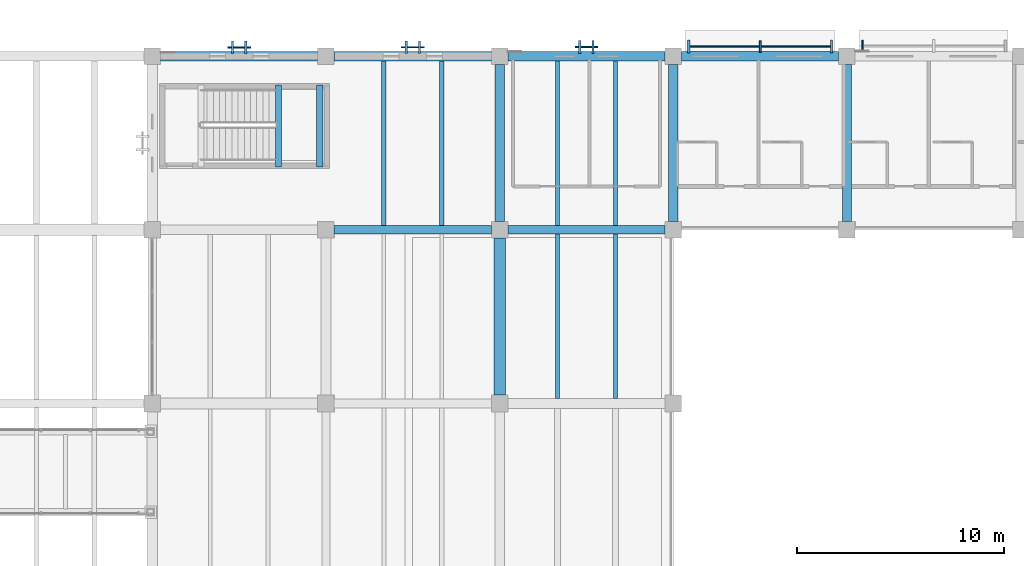
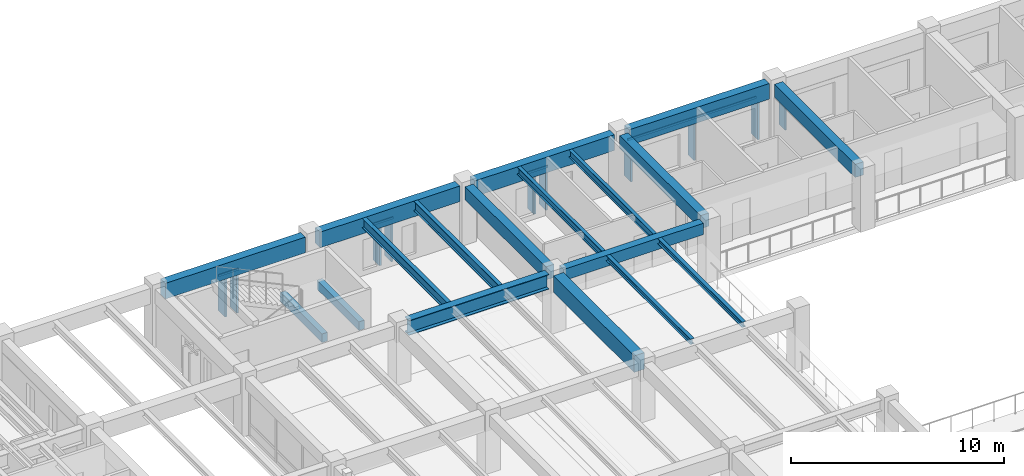
# One storey, part 39 of 118: 18 beams, 14 members, 5 elements without a shape of their own.
"""IFC4 building model written with IfcOpenShell, lengths in metres."""

from ifc_helpers import new_model, si_unit, direction, frame, origin, origin_2d, place, context, subcontext, project, spatial, rectangle, i_section, extrude, material, material_profile, profile_set, type_object, element, aggregate, save


model = new_model("IFC4")

# Units and contexts
model_context = context("Model", 3, precision=1e-05, world=origin(), true_north=direction((0.0, 1.0)))
body_context = subcontext(model_context, "Body", "Model", "MODEL_VIEW")
ifc_project = project(units=[si_unit("LENGTHUNIT", "METRE"), si_unit("AREAUNIT", "SQUARE_METRE"), si_unit("VOLUMEUNIT", "CUBIC_METRE"), si_unit("PLANEANGLEUNIT", "RADIAN"), si_unit("MASSUNIT", "GRAM", prefix="KILO")], contexts=[model_context])

# Site, building, storey
site_placement = place(None, origin())
site = spatial("IfcSite", under=ifc_project, at=site_placement, CompositionType="ELEMENT")
building_placement = place(site_placement, origin())
building = spatial("IfcBuilding", under=site, at=building_placement, Name="Cumbredor Promenade Congress Hotel", CompositionType="ELEMENT")
storey_placement = place(building_placement, frame((0.0, 0.0, 3.919921875)))
storey = spatial("IfcBuildingStorey", under=building, at=storey_placement, Name="L01", CompositionType="ELEMENT", Elevation=3.919921875)

# Beams
ifc_material_1 = material(Name="Concrete C40/50", Category="concrete")
ifc_material_profile_1 = material_profile(ifc_material_1, rectangle(XDim=0.39990234375, YDim=0.64990234375, at=origin_2d()), Name="RC BEAM 400x650")
ifc_profile_set_1 = profile_set([ifc_material_profile_1], Name="Concrete C40/50")
beam_type_1 = type_object("IfcBeamType", Name="BM-RC-400x650", PredefinedType="BEAM", material=ifc_profile_set_1)
beam_1_placement = place(storey_placement, frame((109.60009765625, 109.199951171875, 3.03515625), z_axis=(1.0, 0.0, 0.0), x_axis=(0.0, 1.0, 0.0)))
element("IfcBeam", 1, at=beam_1_placement, inside=storey, type_object=beam_type_1, Name="L02 X-Grid Beam 205", PredefinedType="BEAM", context=body_context, shape_type="SweptSolid", body=[
    extrude(rectangle(XDim=0.39990234375, YDim=0.64990234375, at=origin_2d()), origin(), (0.0, 0.0, 1.0), 7.599853515625),
])
ifc_material_profile_2 = material_profile(ifc_material_1, rectangle(XDim=0.449951171875, YDim=0.75, at=origin_2d()), Name="RC BEAM 450x750")
ifc_profile_set_2 = profile_set([ifc_material_profile_2], Name="Concrete C40/50")
beam_type_2 = type_object("IfcBeamType", Name="BM-RC-450x750", PredefinedType="BEAM", material=ifc_profile_set_2)
for number, where, z_axis, x_axis, name in (
    (2, (109.199951171875, 109.60009765625, 2.985107421875), (0.0, 1.0, 0.0), (-1.0, 0.0, 0.0), "L02 Y-Grid Beam 206"),
    (3, (117.60009765625, 109.60009765625, 2.985107421875), (0.0, 1.0, 0.0), (-1.0, 0.0, 0.0), "L02 Y-Grid Beam 210"),
    (4, (126.0, 109.60009765625, 2.985107421875), (0.0, 1.0, 0.0), (-1.0, 0.0, 0.0), "L02 Y-Grid Beam 214"),
):
    element("IfcBeam", number, at=place(storey_placement, frame(where, z_axis=z_axis, x_axis=x_axis)), inside=storey, type_object=beam_type_2, Name=name, PredefinedType="BEAM", context=body_context, shape_type="SweptSolid", body=[
        extrude(rectangle(XDim=0.449951171875, YDim=0.75, at=origin_2d()), origin(), (0.0, 0.0, 1.0), 7.599853515625),
    ])
ifc_material_profile_3 = material_profile(ifc_material_1, rectangle(XDim=0.550048828125, YDim=0.949951171875, at=origin_2d()), Name="RC BEAM 550x950")
ifc_profile_set_3 = profile_set([ifc_material_profile_3], Name="Concrete C40/50")
beam_type_3 = type_object("IfcBeamType", Name="BM-RC-550x950", PredefinedType="BEAM", material=ifc_profile_set_3)
beam_2_placement = place(storey_placement, frame((109.199951171875, 101.199951171875, 2.885009765625), z_axis=(0.0, 1.0, 0.0), x_axis=(-1.0, 0.0, 0.0)))
element("IfcBeam", 5, at=beam_2_placement, inside=storey, type_object=beam_type_3, Name="L02 Y-Grid Beam 204", PredefinedType="BEAM", context=body_context, shape_type="SweptSolid", body=[
    extrude(rectangle(XDim=0.550048828125, YDim=0.949951171875, at=origin_2d()), origin(), (0.0, 0.0, 1.0), 7.60009765625),
])
ifc_material_2 = material(Name="Steel ASTM A992 Grade 50", Category="steel")
ifc_material_profile_4 = material_profile(ifc_material_2, i_section(OverallWidth=0.39990234375, OverallDepth=0.85498046875, WebThickness=0.018310546875, FlangeThickness=0.029296875, at=origin_2d()), Name="W33X201")
ifc_profile_set_4 = profile_set([ifc_material_profile_4], Name="Steel ASTM A992 Grade 50")
beam_type_4 = type_object("IfcBeamType", Name="BM-W33X201", PredefinedType="BEAM", material=ifc_profile_set_4)
beam_3_placement = place(storey_placement, frame((101.199951171875, 109.199951171875, 2.9326171875), z_axis=(1.0, 0.0, 0.0), x_axis=(0.0, 1.0, 0.0)))
element("IfcBeam", 6, at=beam_3_placement, inside=storey, type_object=beam_type_4, Name="L02 X-Grid Beam 192", PredefinedType="BEAM", context=body_context, shape_type="SweptSolid", body=[
    extrude(i_section(OverallWidth=0.39990234375, OverallDepth=0.85498046875, WebThickness=0.018310546875, FlangeThickness=0.029296875, at=origin_2d()), origin(), (0.0, 0.0, 1.0), 7.60009765625),
])

# Curtain wall, member
ifc_material_3 = material(Name="Thermally broken anodized aluminium and low-E glass", Category="aluminium")
curtain_wall_type = type_object("IfcCurtainWallType", Name="Solar Brise-Soleil Screen Assembly CW-07", PredefinedType="NOTDEFINED", material=ifc_material_3)
curtain_wall_1_placement = place(storey_placement, origin())
curtain_wall_1 = element("IfcCurtainWall", 7, at=curtain_wall_1_placement, inside=storey, type_object=curtain_wall_type, Name="L01 Pier Brise-Soleil Screen 0235", PredefinedType="NOTDEFINED")
ifc_material_4 = material(Name="Thermally broken anodized aluminium", Category="aluminium")
ifc_material_profile_5 = material_profile(ifc_material_4, rectangle(XDim=0.06494140625, YDim=0.1298828125, at=origin_2d()), Name="ALU TRANSOM 65x130")
ifc_profile_set_5 = profile_set([ifc_material_profile_5], Name="Thermally broken anodized aluminium")
member_type_1 = type_object("IfcMemberType", Name="Curtain Wall Transom TR-01", PredefinedType="USERDEFINED", material=ifc_profile_set_5)
member_1_placement = place(storey_placement, frame((96.050048828125, 118.0224609375, 2.28515625), z_axis=(1.0, 0.0, 0.0), x_axis=(0.0, 1.0, 0.0)))
member_1 = element("IfcMember", 8, at=member_1_placement, type_object=member_type_1, Name="L01 Pier Brise-Soleil Header 0237", ObjectType="TRANSOM", PredefinedType="USERDEFINED", context=body_context, shape_type="SweptSolid", body=[
    extrude(rectangle(XDim=0.06494140625, YDim=0.1298828125, at=origin_2d()), origin(), (0.0, 0.0, 1.0), 1.099853515625),
])

curtain_wall_2_placement = place(storey_placement, origin())
curtain_wall_2 = element("IfcCurtainWall", 9, at=curtain_wall_2_placement, inside=storey, type_object=curtain_wall_type, Name="L01 Pier Brise-Soleil Screen 0238", PredefinedType="NOTDEFINED")
member_2_placement = place(storey_placement, frame((104.449951171875, 118.034912109375, 2.28515625), z_axis=(1.0, 0.0, 0.0), x_axis=(0.0, 1.0, 0.0)))
member_2 = element("IfcMember", 10, at=member_2_placement, type_object=member_type_1, Name="L01 Pier Brise-Soleil Header 0240", ObjectType="TRANSOM", PredefinedType="USERDEFINED", context=body_context, shape_type="SweptSolid", body=[
    extrude(rectangle(XDim=0.06494140625, YDim=0.1298828125, at=origin_2d()), origin(), (0.0, 0.0, 1.0), 1.10009765625),
])

curtain_wall_3_placement = place(storey_placement, origin())
curtain_wall_3 = element("IfcCurtainWall", 11, at=curtain_wall_3_placement, inside=storey, type_object=curtain_wall_type, Name="L01 Pier Brise-Soleil Screen 0241", PredefinedType="NOTDEFINED")
member_3_placement = place(storey_placement, frame((112.85009765625, 118.050048828125, 2.28515625), z_axis=(1.0, 0.0, 0.0), x_axis=(0.0, 1.0, 0.0)))
member_3 = element("IfcMember", 12, at=member_3_placement, type_object=member_type_1, Name="L01 Pier Brise-Soleil Header 0243", ObjectType="TRANSOM", PredefinedType="USERDEFINED", context=body_context, shape_type="SweptSolid", body=[
    extrude(rectangle(XDim=0.06494140625, YDim=0.1298828125, at=origin_2d()), origin(), (0.0, 0.0, 1.0), 1.099853515625),
])

curtain_wall_4_placement = place(storey_placement, origin())
curtain_wall_4 = element("IfcCurtainWall", 13, at=curtain_wall_4_placement, inside=storey, type_object=curtain_wall_type, Name="L01 Hospitality Brise-Soleil Screen 008", PredefinedType="NOTDEFINED")
member_4_placement = place(storey_placement, frame((118.301025390625, 118.072509765625, 2.26513671875), z_axis=(1.0, 0.0, 0.0), x_axis=(0.0, 1.0, 0.0)))
member_4 = element("IfcMember", 14, at=member_4_placement, type_object=member_type_1, Name="L01 Brise-Soleil Screen Transom 008", ObjectType="TRANSOM", PredefinedType="USERDEFINED", context=body_context, shape_type="SweptSolid", body=[
    extrude(rectangle(XDim=0.06494140625, YDim=0.1298828125, at=origin_2d()), origin(), (0.0, 0.0, 1.0), 6.998046875),
])

# Beams
ifc_material_profile_6 = material_profile(ifc_material_2, i_section(OverallWidth=0.202880859375, OverallDepth=0.302978515625, WebThickness=0.007568359375, FlangeThickness=0.01318359375, at=origin_2d()), Name="W12X40")
ifc_profile_set_6 = profile_set([ifc_material_profile_6], Name="Steel ASTM A992 Grade 50")
beam_type_5 = type_object("IfcBeamType", Name="JST-W12X40", PredefinedType="JOIST", material=ifc_profile_set_6)
for number, where, z_axis, x_axis, name in (
    (15, (112.0, 101.050048828125, 3.20849609375), (0.0, 1.0, 0.0), (-1.0, 0.0, 0.0), "L02 Secondary Floor Joist 0122"),
    (16, (114.800048828125, 101.050048828125, 3.20849609375), (0.0, 1.0, 0.0), (-1.0, 0.0, 0.0), "L02 Secondary Floor Joist 0123"),
):
    element("IfcBeam", number, at=place(storey_placement, frame(where, z_axis=z_axis, x_axis=x_axis)), inside=storey, type_object=beam_type_5, Name=name, PredefinedType="JOIST", context=body_context, shape_type="SweptSolid", body=[
        extrude(i_section(OverallWidth=0.202880859375, OverallDepth=0.302978515625, WebThickness=0.007568359375, FlangeThickness=0.01318359375, at=origin_2d()), origin(), (0.0, 0.0, 1.0), 7.949951171875),
    ])
ifc_material_profile_7 = material_profile(ifc_material_2, i_section(OverallWidth=0.180908203125, OverallDepth=0.4169921875, WebThickness=0.010986328125, FlangeThickness=0.018310546875, at=origin_2d()), Name="W16X57")
ifc_profile_set_7 = profile_set([ifc_material_profile_7], Name="Steel ASTM A992 Grade 50")
beam_type_6 = type_object("IfcBeamType", Name="JST-W16X57", PredefinedType="JOIST", material=ifc_profile_set_7)
for number, where, z_axis, x_axis, name in (
    (17, (112.0, 109.39990234375, 3.151611328125), (0.0, 1.0, 0.0), (-1.0, 0.0, 0.0), "L02 Secondary Floor Joist 0124"),
    (18, (114.800048828125, 109.39990234375, 3.151611328125), (0.0, 1.0, 0.0), (-1.0, 0.0, 0.0), "L02 Secondary Floor Joist 0125"),
):
    element("IfcBeam", number, at=place(storey_placement, frame(where, z_axis=z_axis, x_axis=x_axis)), inside=storey, type_object=beam_type_6, Name=name, PredefinedType="JOIST", context=body_context, shape_type="SweptSolid", body=[
        extrude(i_section(OverallWidth=0.180908203125, OverallDepth=0.4169921875, WebThickness=0.010986328125, FlangeThickness=0.018310546875, at=origin_2d()), origin(), (0.0, 0.0, 1.0), 7.97509765625),
    ])
ifc_material_profile_8 = material_profile(ifc_material_2, i_section(OverallWidth=0.214111328125, OverallDepth=0.549072265625, WebThickness=0.0146484375, FlangeThickness=0.023681640625, at=origin_2d()), Name="W21X93")
ifc_profile_set_8 = profile_set([ifc_material_profile_8], Name="Steel ASTM A992 Grade 50")
beam_type_7 = type_object("IfcBeamType", Name="JST-W21X93", PredefinedType="JOIST", material=ifc_profile_set_8)
for number, where, z_axis, x_axis, name in (
    (19, (103.60009765625, 109.39990234375, 3.085693359375), (0.0, 1.0, 0.0), (-1.0, 0.0, 0.0), "L02 Secondary Floor Joist 0116"),
    (20, (106.39990234375, 109.39990234375, 3.085693359375), (0.0, 1.0, 0.0), (-1.0, 0.0, 0.0), "L02 Secondary Floor Joist 0117"),
):
    element("IfcBeam", number, at=place(storey_placement, frame(where, z_axis=z_axis, x_axis=x_axis)), inside=storey, type_object=beam_type_7, Name=name, PredefinedType="JOIST", context=body_context, shape_type="SweptSolid", body=[
        extrude(i_section(OverallWidth=0.214111328125, OverallDepth=0.549072265625, WebThickness=0.0146484375, FlangeThickness=0.023681640625, at=origin_2d()), origin(), (0.0, 0.0, 1.0), 7.97509765625),
    ])
ifc_material_profile_9 = material_profile(ifc_material_1, rectangle(XDim=0.300048828125, YDim=0.5, at=origin_2d()), Name="RC LINTEL 300x500")
ifc_profile_set_9 = profile_set([ifc_material_profile_9], Name="Concrete C40/50")
beam_type_8 = type_object("IfcBeamType", Name="LN-RC-300x500", PredefinedType="LINTEL", material=ifc_profile_set_9)
for number, where, z_axis, x_axis, name in (
    (21, (100.5, 112.25, 1.3701171875), (0.0, 1.0, 0.0), (-1.0, 0.0, 0.0), "L01 Stair ST-15 Landing Ledger Beam E"),
    (22, (98.5, 112.25, 1.3701171875), (0.0, 1.0, 0.0), (-1.0, 0.0, 0.0), "L01 Stair ST-15 Landing Ledger Beam W"),
):
    element("IfcBeam", number, at=place(storey_placement, frame(where, z_axis=z_axis, x_axis=x_axis)), inside=storey, type_object=beam_type_8, Name=name, PredefinedType="LINTEL", context=body_context, shape_type="SweptSolid", body=[
        extrude(rectangle(XDim=0.300048828125, YDim=0.5, at=origin_2d()), origin(), (0.0, 0.0, 1.0), 3.949951171875),
    ])
ifc_material_profile_10 = material_profile(ifc_material_1, rectangle(XDim=0.449951171875, YDim=0.89990234375, at=origin_2d()), Name="RC SPANDREL 450x900")
ifc_profile_set_10 = profile_set([ifc_material_profile_10], Name="Concrete C40/50")
beam_type_9 = type_object("IfcBeamType", Name="SP-RC-450x900", PredefinedType="SPANDREL", material=ifc_profile_set_10)
beam_4_placement = place(storey_placement, frame((92.800048828125, 117.60009765625, 2.91015625), z_axis=(1.0, 0.0, 0.0), x_axis=(0.0, 1.0, 0.0)))
element("IfcBeam", 23, at=beam_4_placement, inside=storey, type_object=beam_type_9, Name="L02 X-Grid Beam 180", PredefinedType="SPANDREL", context=body_context, shape_type="SweptSolid", body=[
    extrude(rectangle(XDim=0.449951171875, YDim=0.89990234375, at=origin_2d()), origin(), (0.0, 0.0, 1.0), 7.599853515625),
])
beam_5_placement = place(storey_placement, frame((101.199951171875, 117.60009765625, 2.91015625), z_axis=(1.0, 0.0, 0.0), x_axis=(0.0, 1.0, 0.0)))
element("IfcBeam", 24, at=beam_5_placement, inside=storey, type_object=beam_type_9, Name="L02 X-Grid Beam 193", PredefinedType="SPANDREL", context=body_context, shape_type="SweptSolid", body=[
    extrude(rectangle(XDim=0.449951171875, YDim=0.89990234375, at=origin_2d()), origin(), (0.0, 0.0, 1.0), 7.60009765625),
])
beam_6_placement = place(storey_placement, frame((109.60009765625, 117.60009765625, 2.91015625), z_axis=(1.0, 0.0, 0.0), x_axis=(0.0, 1.0, 0.0)))
element("IfcBeam", 25, at=beam_6_placement, inside=storey, type_object=beam_type_9, Name="L02 X-Grid Beam 207", PredefinedType="SPANDREL", context=body_context, shape_type="SweptSolid", body=[
    extrude(rectangle(XDim=0.449951171875, YDim=0.89990234375, at=origin_2d()), origin(), (0.0, 0.0, 1.0), 7.599853515625),
])
beam_7_placement = place(storey_placement, frame((118.0, 117.60009765625, 2.91015625), z_axis=(1.0, 0.0, 0.0), x_axis=(0.0, 1.0, 0.0)))
element("IfcBeam", 26, at=beam_7_placement, inside=storey, type_object=beam_type_9, Name="L02 X-Grid Beam 211", PredefinedType="SPANDREL", context=body_context, shape_type="SweptSolid", body=[
    extrude(rectangle(XDim=0.449951171875, YDim=0.89990234375, at=origin_2d()), origin(), (0.0, 0.0, 1.0), 7.60009765625),
])

# Member
ifc_material_profile_11 = material_profile(ifc_material_4, rectangle(XDim=0.110107421875, YDim=0.6201171875, at=origin_2d()), Name="ARCH FIN 110x620")
ifc_profile_set_11 = profile_set([ifc_material_profile_11], Name="Thermally broken anodized aluminium")
member_type_2 = type_object("IfcMemberType", Name="Vertical Bronze Brise-Soleil Fin BSF-02 110x620", PredefinedType="USERDEFINED", material=ifc_profile_set_11)
member_5_placement = place(storey_placement, frame((96.280029296875, 118.0224609375, 0.02001953125), z_axis=(0.0, 0.0, 1.0), x_axis=(1.0, 0.0, 0.0)))
member_5 = element("IfcMember", 27, at=member_5_placement, type_object=member_type_2, Name="L01 Pier Brise-Soleil Fin 0236", ObjectType="SOLAR FIN", PredefinedType="USERDEFINED", context=body_context, shape_type="SweptSolid", body=[
    extrude(rectangle(XDim=0.110107421875, YDim=0.6201171875, at=origin_2d()), origin(), (0.0, 0.0, 1.0), 2.30517578125),
])

member_6_placement = place(storey_placement, frame((96.919921875, 118.0224609375, 0.02001953125), z_axis=(0.0, 0.0, 1.0), x_axis=(1.0, 0.0, 0.0)))
member_6 = element("IfcMember", 28, at=member_6_placement, type_object=member_type_2, Name="L01 Pier Brise-Soleil Fin 0237", ObjectType="SOLAR FIN", PredefinedType="USERDEFINED", context=body_context, shape_type="SweptSolid", body=[
    extrude(rectangle(XDim=0.110107421875, YDim=0.6201171875, at=origin_2d()), origin(), (0.0, 0.0, 1.0), 2.30517578125),
])

aggregate(curtain_wall_1, [member_5, member_6, member_1])

member_7_placement = place(storey_placement, frame((104.679931640625, 118.034912109375, 0.02001953125), z_axis=(0.0, 0.0, 1.0), x_axis=(1.0, 0.0, 0.0)))
member_7 = element("IfcMember", 29, at=member_7_placement, type_object=member_type_2, Name="L01 Pier Brise-Soleil Fin 0239", ObjectType="SOLAR FIN", PredefinedType="USERDEFINED", context=body_context, shape_type="SweptSolid", body=[
    extrude(rectangle(XDim=0.110107421875, YDim=0.6201171875, at=origin_2d()), origin(), (0.0, 0.0, 1.0), 2.30517578125),
])

member_8_placement = place(storey_placement, frame((105.320068359375, 118.034912109375, 0.02001953125), z_axis=(0.0, 0.0, 1.0), x_axis=(1.0, 0.0, 0.0)))
member_8 = element("IfcMember", 30, at=member_8_placement, type_object=member_type_2, Name="L01 Pier Brise-Soleil Fin 0240", ObjectType="SOLAR FIN", PredefinedType="USERDEFINED", context=body_context, shape_type="SweptSolid", body=[
    extrude(rectangle(XDim=0.110107421875, YDim=0.6201171875, at=origin_2d()), origin(), (0.0, 0.0, 1.0), 2.30517578125),
])

aggregate(curtain_wall_2, [member_7, member_8, member_2])

member_9_placement = place(storey_placement, frame((113.080078125, 118.050048828125, 0.02001953125), z_axis=(0.0, 0.0, 1.0), x_axis=(1.0, 0.0, 0.0)))
member_9 = element("IfcMember", 31, at=member_9_placement, type_object=member_type_2, Name="L01 Pier Brise-Soleil Fin 0242", ObjectType="SOLAR FIN", PredefinedType="USERDEFINED", context=body_context, shape_type="SweptSolid", body=[
    extrude(rectangle(XDim=0.110107421875, YDim=0.6201171875, at=origin_2d()), origin(), (0.0, 0.0, 1.0), 2.30517578125),
])

member_10_placement = place(storey_placement, frame((113.719970703125, 118.050048828125, 0.02001953125), z_axis=(0.0, 0.0, 1.0), x_axis=(1.0, 0.0, 0.0)))
member_10 = element("IfcMember", 32, at=member_10_placement, type_object=member_type_2, Name="L01 Pier Brise-Soleil Fin 0243", ObjectType="SOLAR FIN", PredefinedType="USERDEFINED", context=body_context, shape_type="SweptSolid", body=[
    extrude(rectangle(XDim=0.110107421875, YDim=0.6201171875, at=origin_2d()), origin(), (0.0, 0.0, 1.0), 2.30517578125),
])

aggregate(curtain_wall_3, [member_9, member_10, member_3])

member_11_placement = place(storey_placement, frame((118.35107421875, 118.072509765625, 0.02001953125), z_axis=(0.0, 0.0, 1.0), x_axis=(1.0, 0.0, 0.0)))
member_11 = element("IfcMember", 33, at=member_11_placement, type_object=member_type_2, Name="L01 Vertical Brise-Soleil Fin 0244", ObjectType="SOLAR FIN", PredefinedType="USERDEFINED", context=body_context, shape_type="SweptSolid", body=[
    extrude(rectangle(XDim=0.110107421875, YDim=0.6201171875, at=origin_2d()), origin(), (0.0, 0.0, 1.0), 2.30517578125),
])

member_12_placement = place(storey_placement, frame((125.2490234375, 118.072509765625, 0.02001953125), z_axis=(0.0, 0.0, 1.0), x_axis=(1.0, 0.0, 0.0)))
member_12 = element("IfcMember", 34, at=member_12_placement, type_object=member_type_2, Name="L01 Vertical Brise-Soleil Fin 0246", ObjectType="SOLAR FIN", PredefinedType="USERDEFINED", context=body_context, shape_type="SweptSolid", body=[
    extrude(rectangle(XDim=0.110107421875, YDim=0.6201171875, at=origin_2d()), origin(), (0.0, 0.0, 1.0), 2.30517578125),
])

ifc_material_5 = material(Name="Kiln-dried tropical hardwood", Category="wood")
ifc_material_profile_12 = material_profile(ifc_material_5, rectangle(XDim=0.090087890625, YDim=0.550048828125, at=origin_2d()), Name="ARCH FIN 90x550")
ifc_profile_set_12 = profile_set([ifc_material_profile_12], Name="Kiln-dried tropical hardwood")
member_type_3 = type_object("IfcMemberType", Name="Vertical Hardwood Brise-Soleil Fin BSF-01 90x550", PredefinedType="USERDEFINED", material=ifc_profile_set_12)
member_13_placement = place(storey_placement, frame((121.800048828125, 118.072509765625, 0.02001953125), z_axis=(0.0, 0.0, 1.0), x_axis=(1.0, 0.0, 0.0)))
member_13 = element("IfcMember", 35, at=member_13_placement, type_object=member_type_3, Name="L01 Vertical Brise-Soleil Fin 0245", ObjectType="SOLAR FIN", PredefinedType="USERDEFINED", context=body_context, shape_type="SweptSolid", body=[
    extrude(rectangle(XDim=0.090087890625, YDim=0.550048828125, at=origin_2d()), origin(), (0.0, 0.0, 1.0), 2.30517578125),
])

aggregate(curtain_wall_4, [member_4, member_11, member_13, member_12])

# Curtain wall, member
curtain_wall_5_placement = place(storey_placement, origin())
curtain_wall_5 = element("IfcCurtainWall", 36, at=curtain_wall_5_placement, inside=storey, type_object=curtain_wall_type, Name="L01 Hospitality Brise-Soleil Screen 009", PredefinedType="NOTDEFINED")
member_14_placement = place(storey_placement, frame((126.7509765625, 118.0849609375, 0.02001953125), z_axis=(0.0, 0.0, 1.0), x_axis=(1.0, 0.0, 0.0)))
member_14 = element("IfcMember", 37, at=member_14_placement, type_object=member_type_3, Name="L01 Vertical Brise-Soleil Fin 0247", ObjectType="SOLAR FIN", PredefinedType="USERDEFINED", context=body_context, shape_type="SweptSolid", body=[
    extrude(rectangle(XDim=0.090087890625, YDim=0.550048828125, at=origin_2d()), origin(), (0.0, 0.0, 1.0), 2.30517578125),
])
aggregate(curtain_wall_5, [member_14])

save(model, "model.ifc")
